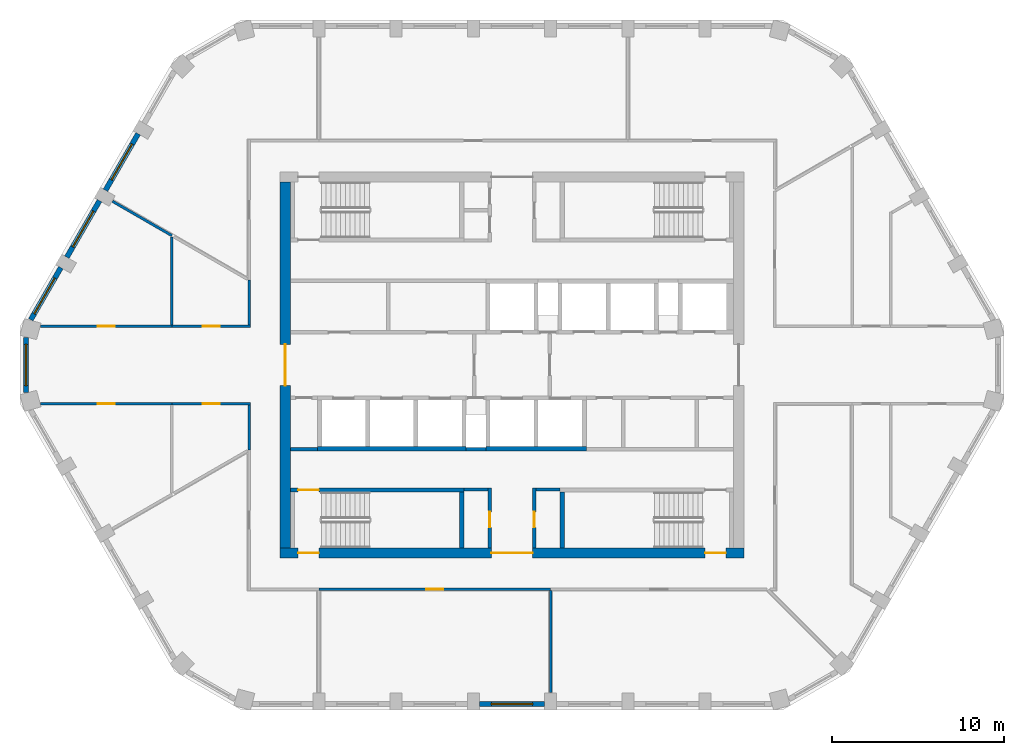
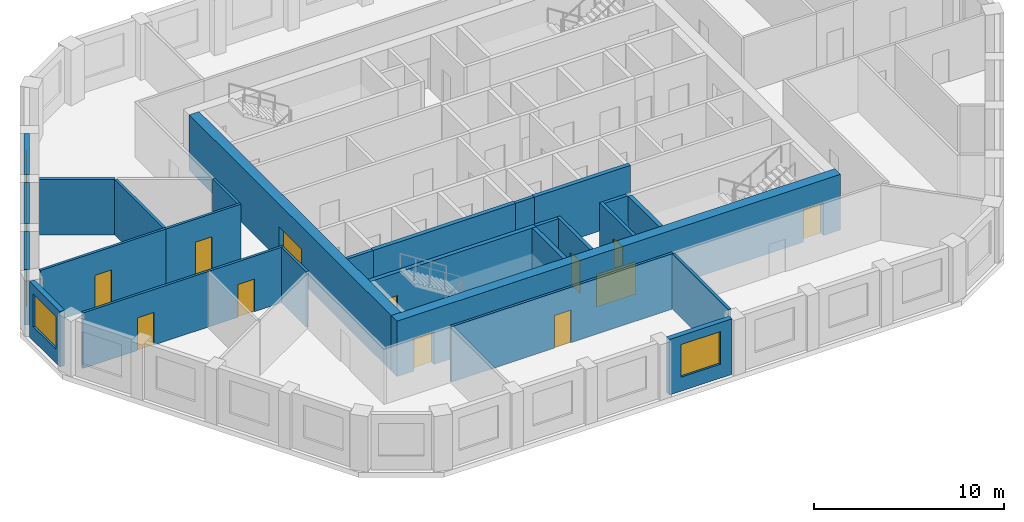
# One storey, part 2 of 11: 28 walls, 12 doors, 5 windows, 17 openings.
"""IFC4 building model written with IfcOpenShell, lengths in metres."""

from ifc_helpers import new_model, si_unit, direction, frame, frame_2d, origin, place, context, subcontext, project, spatial, polyline, rectangle, outline, extrude, material, layer, layer_set, type_object, element, fill, save


model = new_model("IFC4")

# Units and contexts
model_context = context("Model", 3, precision=1e-05, world=origin(), true_north=direction((0.0, 1.0)))
body_context = subcontext(model_context, "Body", "Model", "MODEL_VIEW")
ifc_project = project(units=[si_unit("LENGTHUNIT", "METRE"), si_unit("AREAUNIT", "SQUARE_METRE"), si_unit("VOLUMEUNIT", "CUBIC_METRE"), si_unit("PLANEANGLEUNIT", "RADIAN"), si_unit("MASSUNIT", "GRAM", prefix="KILO")], contexts=[model_context])

# Site, building, storey
site_placement = place(None, origin())
site = spatial("IfcSite", under=ifc_project, at=site_placement, CompositionType="ELEMENT")
building_placement = place(site_placement, origin())
building = spatial("IfcBuilding", under=site, at=building_placement, Name="Dhurran Vertical Campus", CompositionType="ELEMENT")
storey_placement = place(building_placement, frame((0.0, 0.0, 270.300048828125)))
storey = spatial("IfcBuildingStorey", under=building, at=storey_placement, Name="L67", CompositionType="ELEMENT", Elevation=270.300048828125)

# Wall, opening, window
ifc_material_1 = material(Name="Precast concrete C50/60", Category="concrete")
ifc_layer_1 = layer(ifc_material_1, 0.300048828125)
ifc_layer_set_1 = layer_set([ifc_layer_1], Name="Precast concrete C50/60")
wall_type_1 = type_object("IfcWallType", Name="Precast spandrel wall 300", PredefinedType="SOLIDWALL", material=ifc_layer_set_1)
wall_1_placement = place(storey_placement, frame((-1.8994140625, -19.738525390625, 0.0), z_axis=(0.0, 0.0, 1.0), x_axis=(1.0, 0.0, 0.0)))
wall_1 = element("IfcWall", 1, at=wall_1_placement, inside=storey, type_object=wall_type_1, Name="EW1 L67.03", PredefinedType="SOLIDWALL", context=body_context, shape_type="SweptSolid", body=[
    extrude(rectangle(XDim=3.798828125, YDim=0.300048828125, at=frame_2d((1.8994140625, 0.0))), origin(), (0.0, 0.0, 1.0), 3.574951171875),
])
opening_1_placement = place(wall_1_placement, frame((0.699462890625, 0.0, 0.89990234375)))
opening_1 = element("IfcOpeningElement", 2, at=opening_1_placement, cuts=wall_1, Name="Opening WT1", PredefinedType="OPENING", context=body_context, shape_type="SweptSolid", body=[
    extrude(rectangle(XDim=2.39990234375, YDim=2.10009765625, at=frame_2d((1.199951171875, 1.050048828125))), frame((0.0, 0.159912109375, 0.0), z_axis=(0.0, -1.0, 0.0), x_axis=(1.0, 0.0, 0.0)), (0.0, 0.0, 1.0), 0.320068359375),
])
ifc_material_2 = material(Name="Aluminium frame with solar-control glass", Category="aluminium")
window_type = type_object("IfcWindowType", Name="Punched window 2400 x 2100", PartitioningType="SINGLE_PANEL", PredefinedType="WINDOW", material=ifc_material_2)
window_1_placement = place(opening_1_placement, origin())
window_1 = element("IfcWindow", 3, at=window_1_placement, inside=storey, type_object=window_type, Name="WT1 L67.03", OverallHeight=2.10009765625, OverallWidth=2.39990234375, PartitioningType="SINGLE_PANEL", PredefinedType="WINDOW", context=body_context, shape_type="SweptSolid", body=[
    extrude(rectangle(XDim=2.39990234375, YDim=2.10009765625, at=frame_2d((1.199951171875, 1.050048828125))), frame((0.0, 0.030029296875, 0.0), z_axis=(0.0, -1.0, 0.0), x_axis=(1.0, 0.0, 0.0)), (0.0, 0.0, 1.0), 0.06005859375),
])
fill(opening_1, window_1)

wall_2_placement = place(storey_placement, frame((-21.769287109375, 13.462890625, 0.0), z_axis=(0.0, 0.0, 1.0), x_axis=(-0.499982058975, -0.866035761792, 0.0)))
wall_2 = element("IfcWall", 4, at=wall_2_placement, inside=storey, type_object=wall_type_1, Name="EW1 L67.27", PredefinedType="SOLIDWALL", context=body_context, shape_type="SweptSolid", body=[
    extrude(rectangle(XDim=3.799072265625, YDim=0.300048828125, at=frame_2d((1.8994140625, 0.0))), origin(), (0.0, 0.0, 1.0), 3.574951171875),
])
opening_2_placement = place(wall_2_placement, frame((0.699462890625, 0.0, 0.89990234375)))
opening_2 = element("IfcOpeningElement", 5, at=opening_2_placement, cuts=wall_2, Name="Opening WT1", PredefinedType="OPENING", context=body_context, shape_type="SweptSolid", body=[
    extrude(rectangle(XDim=2.39990234375, YDim=2.10009765625, at=frame_2d((1.199951171875, 1.050048828125))), frame((0.0, 0.159912109375, 0.0), z_axis=(0.0, -1.0, 0.0), x_axis=(1.0, 0.0, 0.0)), (0.0, 0.0, 1.0), 0.320068359375),
])
window_2_placement = place(opening_2_placement, origin())
window_2 = element("IfcWindow", 6, at=window_2_placement, inside=storey, type_object=window_type, Name="WT1 L67.27", OverallHeight=2.10009765625, OverallWidth=2.39990234375, PartitioningType="SINGLE_PANEL", PredefinedType="WINDOW", context=body_context, shape_type="SweptSolid", body=[
    extrude(rectangle(XDim=2.39990234375, YDim=2.10009765625, at=frame_2d((1.199951171875, 1.050048828125))), frame((0.0, 0.030029296875, 0.0), z_axis=(0.0, -1.0, 0.0), x_axis=(1.0, 0.0, 0.0)), (0.0, 0.0, 1.0), 0.06005859375),
])
fill(opening_2, window_2)

wall_3_placement = place(storey_placement, frame((-24.019287109375, 9.565673828125, 0.0), z_axis=(0.0, 0.0, 1.0), x_axis=(-0.499982058975, -0.866035761792, 0.0)))
wall_3 = element("IfcWall", 7, at=wall_3_placement, inside=storey, type_object=wall_type_1, Name="EW1 L67.28", PredefinedType="SOLIDWALL", context=body_context, shape_type="SweptSolid", body=[
    extrude(rectangle(XDim=3.799072265625, YDim=0.300048828125, at=frame_2d((1.8994140625, 0.0))), origin(), (0.0, 0.0, 1.0), 3.574951171875),
])
opening_3_placement = place(wall_3_placement, frame((0.699462890625, 0.0, 0.89990234375)))
opening_3 = element("IfcOpeningElement", 8, at=opening_3_placement, cuts=wall_3, Name="Opening WT1", PredefinedType="OPENING", context=body_context, shape_type="SweptSolid", body=[
    extrude(rectangle(XDim=2.39990234375, YDim=2.10009765625, at=frame_2d((1.199951171875, 1.050048828125))), frame((0.0, 0.159912109375, 0.0), z_axis=(0.0, -1.0, 0.0), x_axis=(1.0, 0.0, 0.0)), (0.0, 0.0, 1.0), 0.320068359375),
])
window_3_placement = place(opening_3_placement, origin())
window_3 = element("IfcWindow", 9, at=window_3_placement, inside=storey, type_object=window_type, Name="WT1 L67.28", OverallHeight=2.10009765625, OverallWidth=2.39990234375, PartitioningType="SINGLE_PANEL", PredefinedType="WINDOW", context=body_context, shape_type="SweptSolid", body=[
    extrude(rectangle(XDim=2.39990234375, YDim=2.10009765625, at=frame_2d((1.199951171875, 1.050048828125))), frame((0.0, 0.030029296875, 0.0), z_axis=(0.0, -1.0, 0.0), x_axis=(1.0, 0.0, 0.0)), (0.0, 0.0, 1.0), 0.06005859375),
])
fill(opening_3, window_3)

wall_4_placement = place(storey_placement, frame((-26.269287109375, 5.668701171875, 0.0), z_axis=(0.0, 0.0, 1.0), x_axis=(-0.499990325971, -0.866030989016, 0.0)))
wall_4 = element("IfcWall", 10, at=wall_4_placement, inside=storey, type_object=wall_type_1, Name="EW1 L67.29", PredefinedType="SOLIDWALL", context=body_context, shape_type="SweptSolid", body=[
    extrude(rectangle(XDim=3.49755859375, YDim=0.300048828125, at=frame_2d((1.748779296875, 0.0))), origin(), (0.0, 0.0, 1.0), 3.574951171875),
])
opening_4_placement = place(wall_4_placement, frame((0.699462890625, 0.0, 0.89990234375)))
opening_4 = element("IfcOpeningElement", 11, at=opening_4_placement, cuts=wall_4, Name="Opening WT1", PredefinedType="OPENING", context=body_context, shape_type="SweptSolid", body=[
    extrude(rectangle(XDim=2.39990234375, YDim=2.10009765625, at=frame_2d((1.199951171875, 1.050048828125))), frame((0.0, 0.159912109375, 0.0), z_axis=(0.0, -1.0, 0.0), x_axis=(1.0, 0.0, 0.0)), (0.0, 0.0, 1.0), 0.320068359375),
])
window_4_placement = place(opening_4_placement, origin())
window_4 = element("IfcWindow", 12, at=window_4_placement, inside=storey, type_object=window_type, Name="WT1 L67.29", OverallHeight=2.10009765625, OverallWidth=2.39990234375, PartitioningType="SINGLE_PANEL", PredefinedType="WINDOW", context=body_context, shape_type="SweptSolid", body=[
    extrude(rectangle(XDim=2.39990234375, YDim=2.10009765625, at=frame_2d((1.199951171875, 1.050048828125))), frame((0.0, 0.030029296875, 0.0), z_axis=(0.0, -1.0, 0.0), x_axis=(1.0, 0.0, 0.0)), (0.0, 0.0, 1.0), 0.06005859375),
])
fill(opening_4, window_4)

wall_5_placement = place(storey_placement, frame((-28.297119140625, 1.59814453125, 0.0), z_axis=(0.0, 0.0, 1.0), x_axis=(0.0, -1.0, 0.0)))
wall_5 = element("IfcWall", 13, at=wall_5_placement, inside=storey, type_object=wall_type_1, Name="EW1 L67.30", PredefinedType="SOLIDWALL", context=body_context, shape_type="SweptSolid", body=[
    extrude(rectangle(XDim=3.1962890625, YDim=0.300048828125, at=frame_2d((1.59814453125, 0.0))), origin(), (0.0, 0.0, 1.0), 3.574951171875),
])
opening_5_placement = place(wall_5_placement, frame((0.398193359375, 0.0, 0.89990234375)))
opening_5 = element("IfcOpeningElement", 14, at=opening_5_placement, cuts=wall_5, Name="Opening WT1", PredefinedType="OPENING", context=body_context, shape_type="SweptSolid", body=[
    extrude(rectangle(XDim=2.39990234375, YDim=2.10009765625, at=frame_2d((1.199951171875, 1.050048828125))), frame((0.0, 0.159912109375, 0.0), z_axis=(0.0, -1.0, 0.0), x_axis=(1.0, 0.0, 0.0)), (0.0, 0.0, 1.0), 0.320068359375),
])
window_5_placement = place(opening_5_placement, origin())
window_5 = element("IfcWindow", 15, at=window_5_placement, inside=storey, type_object=window_type, Name="WT1 L67.30", OverallHeight=2.10009765625, OverallWidth=2.39990234375, PartitioningType="SINGLE_PANEL", PredefinedType="WINDOW", context=body_context, shape_type="SweptSolid", body=[
    extrude(rectangle(XDim=2.39990234375, YDim=2.10009765625, at=frame_2d((1.199951171875, 1.050048828125))), frame((0.0, 0.030029296875, 0.0), z_axis=(0.0, -1.0, 0.0), x_axis=(1.0, 0.0, 0.0)), (0.0, 0.0, 1.0), 0.06005859375),
])
fill(opening_5, window_5)

# Wall, openings, doors
ifc_material_3 = material(Name="Concrete C50/60", Category="concrete")
ifc_layer_2 = layer(ifc_material_3, 0.60009765625)
ifc_layer_set_2 = layer_set([ifc_layer_2], Name="Concrete C50/60")
wall_type_2 = type_object("IfcWallType", Name="co-CORE-WALL-C2-600", PredefinedType="SHEAR", material=ifc_layer_set_2)
wall_6_placement = place(storey_placement, frame((-13.5, -10.949951171875, 0.0), z_axis=(0.0, 0.0, 1.0), x_axis=(1.0, 0.0, 0.0)))
wall_6 = element("IfcWall", 16, at=wall_6_placement, inside=storey, type_object=wall_type_2, Name="Core wall S L67", PredefinedType="SHEAR", context=body_context, shape_type="SweptSolid", body=[
    extrude(rectangle(XDim=27.0, YDim=0.60009765625, at=frame_2d((13.5, 0.0))), origin(), (0.0, 0.0, 1.0), 3.574951171875),
])
opening_6_placement = place(wall_6_placement, frame((12.300048828125, 0.0, 0.0)))
opening_6 = element("IfcOpeningElement", 17, at=opening_6_placement, cuts=wall_6, Name="Opening CV2", PredefinedType="OPENING", context=body_context, shape_type="SweptSolid", body=[
    extrude(rectangle(XDim=2.39990234375, YDim=2.10009765625, at=frame_2d((1.199951171875, 1.050048828125))), frame((0.0, 0.31005859375, 0.0), z_axis=(0.0, -1.0, 0.0), x_axis=(1.0, 0.0, 0.0)), (0.0, 0.0, 1.0), 0.6201171875),
])
opening_7_placement = place(wall_6_placement, frame((1.050048828125, 0.0, 0.0)))
opening_7 = element("IfcOpeningElement", 18, at=opening_7_placement, cuts=wall_6, Name="Opening XD3", PredefinedType="OPENING", context=body_context, shape_type="SweptSolid", body=[
    extrude(rectangle(XDim=1.199951171875, YDim=2.10009765625, at=frame_2d((0.60009765625, 1.050048828125))), frame((0.0, 0.31005859375, 0.0), z_axis=(0.0, -1.0, 0.0), x_axis=(1.0, 0.0, 0.0)), (0.0, 0.0, 1.0), 0.6201171875),
])
opening_8_placement = place(wall_6_placement, frame((24.75, 0.0, 0.0)))
opening_8 = element("IfcOpeningElement", 19, at=opening_8_placement, cuts=wall_6, Name="Opening XD4", PredefinedType="OPENING", context=body_context, shape_type="SweptSolid", body=[
    extrude(rectangle(XDim=1.199951171875, YDim=2.10009765625, at=frame_2d((0.60009765625, 1.050048828125))), frame((0.0, 0.31005859375, 0.0), z_axis=(0.0, -1.0, 0.0), x_axis=(1.0, 0.0, 0.0)), (0.0, 0.0, 1.0), 0.6201171875),
])
ifc_material_4 = material(Name="Fire-rated glazed door set")
door_type_1 = type_object("IfcDoorType", Name="co-D-LOBBY 2400x2100", OperationType="DOUBLE_DOOR_DOUBLE_SWING", PredefinedType="DOOR", material=ifc_material_4)
door_1_placement = place(opening_6_placement, origin())
door_1 = element("IfcDoor", 20, at=door_1_placement, inside=storey, type_object=door_type_1, Name="Core vestibule door S L67", OperationType="DOUBLE_DOOR_DOUBLE_SWING", OverallHeight=2.10009765625, OverallWidth=2.39990234375, PredefinedType="DOOR", context=body_context, shape_type="SweptSolid", body=[
    extrude(rectangle(XDim=2.39990234375, YDim=2.10009765625, at=frame_2d((1.199951171875, 1.050048828125))), frame((0.0, 0.02490234375, 0.0), z_axis=(0.0, -1.0, 0.0), x_axis=(1.0, 0.0, 0.0)), (0.0, 0.0, 1.0), 0.050048828125),
])
fill(opening_6, door_1)
ifc_material_5 = material(Name="Fire-rated steel door set", Category="steel")
door_type_2 = type_object("IfcDoorType", Name="co-D-STAIR-EXIT 1200x2100", OperationType="SINGLE_SWING_RIGHT", PredefinedType="DOOR", material=ifc_material_5)
door_2_placement = place(opening_7_placement, origin())
door_2 = element("IfcDoor", 21, at=door_2_placement, inside=storey, type_object=door_type_2, Name="Stair ST3 exit door L67", OperationType="SINGLE_SWING_RIGHT", OverallHeight=2.10009765625, OverallWidth=1.199951171875, PredefinedType="DOOR", context=body_context, shape_type="SweptSolid", body=[
    extrude(rectangle(XDim=1.199951171875, YDim=2.10009765625, at=frame_2d((0.60009765625, 1.050048828125))), frame((0.0, 0.02490234375, 0.0), z_axis=(0.0, -1.0, 0.0), x_axis=(1.0, 0.0, 0.0)), (0.0, 0.0, 1.0), 0.050048828125),
])
fill(opening_7, door_2)
door_3_placement = place(opening_8_placement, origin())
door_3 = element("IfcDoor", 22, at=door_3_placement, inside=storey, type_object=door_type_2, Name="Stair ST4 exit door L67", OperationType="SINGLE_SWING_RIGHT", OverallHeight=2.10009765625, OverallWidth=1.199951171875, PredefinedType="DOOR", context=body_context, shape_type="SweptSolid", body=[
    extrude(rectangle(XDim=1.199951171875, YDim=2.10009765625, at=frame_2d((0.60009765625, 1.050048828125))), frame((0.0, 0.02490234375, 0.0), z_axis=(0.0, -1.0, 0.0), x_axis=(1.0, 0.0, 0.0)), (0.0, 0.0, 1.0), 0.050048828125),
])
fill(opening_8, door_3)

# Wall, opening, door
wall_7_placement = place(storey_placement, frame((-13.199951171875, -10.64990234375, 0.0), z_axis=(0.0, 0.0, 1.0), x_axis=(0.0, 1.0, 0.0)))
wall_7 = element("IfcWall", 23, at=wall_7_placement, inside=storey, type_object=wall_type_2, Name="Core wall W L67", PredefinedType="SHEAR", context=body_context, shape_type="SweptSolid", body=[
    extrude(rectangle(XDim=21.2998046875, YDim=0.60009765625, at=frame_2d((10.64990234375, 0.0))), origin(), (0.0, 0.0, 1.0), 3.574951171875),
])
opening_9_placement = place(wall_7_placement, frame((9.449951171875, 0.0, 0.0)))
opening_9 = element("IfcOpeningElement", 24, at=opening_9_placement, cuts=wall_7, Name="Opening CL1", PredefinedType="OPENING", context=body_context, shape_type="SweptSolid", body=[
    extrude(rectangle(XDim=2.39990234375, YDim=2.10009765625, at=frame_2d((1.199951171875, 1.050048828125))), frame((0.0, 0.31005859375, 0.0), z_axis=(0.0, -1.0, 0.0), x_axis=(1.0, 0.0, 0.0)), (0.0, 0.0, 1.0), 0.6201171875),
])
door_4_placement = place(opening_9_placement, origin())
door_4 = element("IfcDoor", 25, at=door_4_placement, inside=storey, type_object=door_type_1, Name="Lift lobby door W L67", OperationType="DOUBLE_DOOR_DOUBLE_SWING", OverallHeight=2.10009765625, OverallWidth=2.39990234375, PredefinedType="DOOR", context=body_context, shape_type="SweptSolid", body=[
    extrude(rectangle(XDim=2.39990234375, YDim=2.10009765625, at=frame_2d((1.199951171875, 1.050048828125))), frame((0.0, 0.02490234375, 0.0), z_axis=(0.0, -1.0, 0.0), x_axis=(1.0, 0.0, 0.0)), (0.0, 0.0, 1.0), 0.050048828125),
])
fill(opening_9, door_4)

# Walls
ifc_material_6 = material(Name="Fire-rated masonry blockwork", Category="masonry")
ifc_layer_3 = layer(ifc_material_6, 0.199951171875)
ifc_layer_set_3 = layer_set([ifc_layer_3], Name="Fire-rated masonry blockwork")
wall_type_3 = type_object("IfcWallType", Name="co-FIRE-PARTITION-200", PredefinedType="PARTITIONING", material=ifc_layer_set_3)
for number, where, z_axis, x_axis, name in (
    (26, (-2.800048828125, -7.25, 0.0), (0.0, 0.0, 1.0), (1.0, 0.0, 0.0), "Core partition sl-SW-S L67"),
    (27, (1.39990234375, -7.25, 0.0), (0.0, 0.0, 1.0), (1.0, 0.0, 0.0), "Core partition sl-SE-S L67"),
):
    element("IfcWall", number, at=place(storey_placement, frame(where, z_axis=z_axis, x_axis=x_axis)), inside=storey, type_object=wall_type_3, Name=name, PredefinedType="PARTITIONING", context=body_context, shape_type="SweptSolid", body=[
        extrude(rectangle(XDim=1.400146484375, YDim=0.199951171875, at=frame_2d((0.7001953125, 0.0))), origin(), (0.0, 0.0, 1.0), 3.574951171875),
    ])

# Wall, opening, door
wall_8_placement = place(storey_placement, frame((-1.300048828125, -10.64990234375, 0.0), z_axis=(0.0, 0.0, 1.0), x_axis=(0.0, 1.0, 0.0)))
wall_8 = element("IfcWall", 28, at=wall_8_placement, inside=storey, type_object=wall_type_3, Name="Core partition vest-SW L67", PredefinedType="PARTITIONING", context=body_context, shape_type="SweptSolid", body=[
    extrude(rectangle(XDim=3.5, YDim=0.199951171875, at=frame_2d((1.75, 0.0))), origin(), (0.0, 0.0, 1.0), 3.574951171875),
])
opening_10_placement = place(wall_8_placement, frame((1.199951171875, 0.0, 0.0)))
opening_10 = element("IfcOpeningElement", 29, at=opening_10_placement, cuts=wall_8, Name="Opening T20-C1", PredefinedType="OPENING", context=body_context, shape_type="SweptSolid", body=[
    extrude(rectangle(XDim=0.89990234375, YDim=2.10009765625, at=frame_2d((0.449951171875, 1.050048828125))), frame((0.0, 0.10986328125, 0.0), z_axis=(0.0, -1.0, 0.0), x_axis=(1.0, 0.0, 0.0)), (0.0, 0.0, 1.0), 0.219970703125),
])
ifc_material_7 = material(Name="Fire-rated timber door set", Category="wood")
door_type_3 = type_object("IfcDoorType", Name="co-D-ROOM 900x2100", OperationType="SINGLE_SWING_LEFT", PredefinedType="DOOR", material=ifc_material_7)
door_5_placement = place(opening_10_placement, origin())
door_5 = element("IfcDoor", 30, at=door_5_placement, inside=storey, type_object=door_type_3, Name="Server room door L67", OperationType="SINGLE_SWING_LEFT", OverallHeight=2.10009765625, OverallWidth=0.89990234375, PredefinedType="DOOR", context=body_context, shape_type="SweptSolid", body=[
    extrude(rectangle(XDim=0.89990234375, YDim=2.10009765625, at=frame_2d((0.449951171875, 1.050048828125))), frame((0.0, 0.02490234375, 0.0), z_axis=(0.0, -1.0, 0.0), x_axis=(1.0, 0.0, 0.0)), (0.0, 0.0, 1.0), 0.050048828125),
])
fill(opening_10, door_5)

wall_9_placement = place(storey_placement, frame((1.300048828125, -10.64990234375, 0.0), z_axis=(0.0, 0.0, 1.0), x_axis=(0.0, 1.0, 0.0)))
wall_9 = element("IfcWall", 31, at=wall_9_placement, inside=storey, type_object=wall_type_3, Name="Core partition vest-SE L67", PredefinedType="PARTITIONING", context=body_context, shape_type="SweptSolid", body=[
    extrude(rectangle(XDim=3.5, YDim=0.199951171875, at=frame_2d((1.75, 0.0))), origin(), (0.0, 0.0, 1.0), 3.574951171875),
])
opening_11_placement = place(wall_9_placement, frame((1.199951171875, 0.0, 0.0)))
opening_11 = element("IfcOpeningElement", 32, at=opening_11_placement, cuts=wall_9, Name="Opening T20-C2", PredefinedType="OPENING", context=body_context, shape_type="SweptSolid", body=[
    extrude(rectangle(XDim=0.89990234375, YDim=2.10009765625, at=frame_2d((0.449951171875, 1.050048828125))), frame((0.0, 0.10986328125, 0.0), z_axis=(0.0, -1.0, 0.0), x_axis=(1.0, 0.0, 0.0)), (0.0, 0.0, 1.0), 0.219970703125),
])
door_6_placement = place(opening_11_placement, origin())
door_6 = element("IfcDoor", 33, at=door_6_placement, inside=storey, type_object=door_type_3, Name="Housekeeping store door L67", OperationType="SINGLE_SWING_LEFT", OverallHeight=2.10009765625, OverallWidth=0.89990234375, PredefinedType="DOOR", context=body_context, shape_type="SweptSolid", body=[
    extrude(rectangle(XDim=0.89990234375, YDim=2.10009765625, at=frame_2d((0.449951171875, 1.050048828125))), frame((0.0, 0.02490234375, 0.0), z_axis=(0.0, -1.0, 0.0), x_axis=(1.0, 0.0, 0.0)), (0.0, 0.0, 1.0), 0.050048828125),
])
fill(opening_11, door_6)

# Walls
wall_10_placement = place(storey_placement, frame((-12.89990234375, -4.89990234375, 0.0), z_axis=(0.0, 0.0, 1.0), x_axis=(1.0, 0.0, 0.0)))
element("IfcWall", 34, at=wall_10_placement, inside=storey, type_object=wall_type_3, Name="Core partition fr-S0-b L67", PredefinedType="PARTITIONING", context=body_context, shape_type="SweptSolid", body=[
    extrude(rectangle(XDim=1.574951171875, YDim=0.199951171875, at=frame_2d((0.78759765625, 0.0))), origin(), (0.0, 0.0, 1.0), 3.574951171875),
])
wall_11_placement = place(storey_placement, frame((-2.675048828125, -4.89990234375, 0.0), z_axis=(0.0, 0.0, 1.0), x_axis=(1.0, 0.0, 0.0)))
element("IfcWall", 35, at=wall_11_placement, inside=storey, type_object=wall_type_3, Name="Core partition fr-S1-b L67", PredefinedType="PARTITIONING", context=body_context, shape_type="SweptSolid", body=[
    extrude(rectangle(XDim=1.150146484375, YDim=0.199951171875, at=frame_2d((0.5751953125, 0.0))), origin(), (0.0, 0.0, 1.0), 3.574951171875),
])
ifc_material_8 = material(Name="Concrete C50/60", Category="concrete")
ifc_layer_4 = layer(ifc_material_8, 0.25)
ifc_layer_set_4 = layer_set([ifc_layer_4], Name="Concrete C50/60")
wall_type_4 = type_object("IfcWallType", Name="co-SHAFT-MASS-250", PredefinedType="SHEAR", material=ifc_layer_set_4)
wall_12_placement = place(storey_placement, origin())
element("IfcWall", 36, at=wall_12_placement, inside=storey, type_object=wall_type_4, Name="Lift shaft wall S L67 1", PredefinedType="SHEAR", context=body_context, shape_type="SweptSolid", body=[
    extrude(outline(polyline([(-11.324951171875, -5.0), (-2.675048828125, -5.0), (-2.675048828125, -4.75), (-11.324951171875, -4.75), (-11.324951171875, -5.0)])), origin(), (0.0, 0.0, 1.0), 3.574951171875),
])
wall_13_placement = place(storey_placement, origin())
element("IfcWall", 37, at=wall_13_placement, inside=storey, type_object=wall_type_4, Name="Lift shaft wall S L67 2", PredefinedType="SHEAR", context=body_context, shape_type="SweptSolid", body=[
    extrude(outline(polyline([(-1.52490234375, -5.0), (4.324951171875, -5.0), (4.324951171875, -4.75), (-1.52490234375, -4.75), (-1.52490234375, -5.0)])), origin(), (0.0, 0.0, 1.0), 3.574951171875),
])

# Wall, opening, door
ifc_material_9 = material(Name="Concrete C40/50", Category="concrete")
ifc_layer_5 = layer(ifc_material_9, 0.25)
ifc_layer_set_5 = layer_set([ifc_layer_5], Name="Concrete C40/50")
wall_type_5 = type_object("IfcWallType", Name="co-STAIR-WALL-250", PredefinedType="SHEAR", material=ifc_layer_set_5)
wall_14_placement = place(storey_placement, frame((-12.89990234375, -7.27490234375, 0.0), z_axis=(0.0, 0.0, 1.0), x_axis=(1.0, 0.0, 0.0)))
wall_14 = element("IfcWall", 38, at=wall_14_placement, inside=storey, type_object=wall_type_5, Name="Stair ST3 enclosure wall L67", PredefinedType="SHEAR", context=body_context, shape_type="SweptSolid", body=[
    extrude(rectangle(XDim=10.099853515625, YDim=0.25, at=frame_2d((5.0498046875, 0.0))), origin(), (0.0, 0.0, 1.0), 3.574951171875),
])
opening_12_placement = place(wall_14_placement, frame((0.449951171875, 0.0, 0.0)))
opening_12 = element("IfcOpeningElement", 39, at=opening_12_placement, cuts=wall_14, Name="Opening SD3", PredefinedType="OPENING", context=body_context, shape_type="SweptSolid", body=[
    extrude(rectangle(XDim=1.199951171875, YDim=2.10009765625, at=frame_2d((0.60009765625, 1.050048828125))), frame((0.0, 0.135009765625, 0.0), z_axis=(0.0, -1.0, 0.0), x_axis=(1.0, 0.0, 0.0)), (0.0, 0.0, 1.0), 0.27001953125),
])
ifc_material_10 = material(Name="Fire-rated steel door set", Category="steel")
door_type_4 = type_object("IfcDoorType", Name="co-D-STAIR 1200x2100", OperationType="SINGLE_SWING_LEFT", PredefinedType="DOOR", material=ifc_material_10)
door_7_placement = place(opening_12_placement, origin())
door_7 = element("IfcDoor", 40, at=door_7_placement, inside=storey, type_object=door_type_4, Name="Stair ST3 door L67", OperationType="SINGLE_SWING_LEFT", OverallHeight=2.10009765625, OverallWidth=1.199951171875, PredefinedType="DOOR", context=body_context, shape_type="SweptSolid", body=[
    extrude(rectangle(XDim=1.199951171875, YDim=2.10009765625, at=frame_2d((0.60009765625, 1.050048828125))), frame((0.0, 0.02490234375, 0.0), z_axis=(0.0, -1.0, 0.0), x_axis=(1.0, 0.0, 0.0)), (0.0, 0.0, 1.0), 0.050048828125),
])
fill(opening_12, door_7)

# Walls
for number, where, z_axis, x_axis, name in (
    (41, (-2.925048828125, -10.64990234375, 0.0), (0.0, 0.0, 1.0), (0.0, 1.0, 0.0), "Stair ST3 enclosure wall L67"),
    (42, (2.925048828125, -10.64990234375, 0.0), (0.0, 0.0, 1.0), (0.0, 1.0, 0.0), "Stair ST4 enclosure wall L67"),
):
    element("IfcWall", number, at=place(storey_placement, frame(where, z_axis=z_axis, x_axis=x_axis)), inside=storey, type_object=wall_type_5, Name=name, PredefinedType="SHEAR", context=body_context, shape_type="SweptSolid", body=[
        extrude(rectangle(XDim=3.25, YDim=0.25, at=frame_2d((1.625, 0.0))), origin(), (0.0, 0.0, 1.0), 3.574951171875),
    ])

# Wall, opening, door
ifc_material_11 = material(Name="Gypsum board corridor wall on steel studs", Category="steel")
ifc_layer_6 = layer(ifc_material_11, 0.14990234375)
ifc_layer_set_6 = layer_set([ifc_layer_6], Name="Gypsum board corridor wall on steel studs")
wall_type_6 = type_object("IfcWallType", Name="fl-CW-150 corridor wall", PredefinedType="PARTITIONING", material=ifc_layer_set_6)
wall_15_placement = place(storey_placement, frame((-19.800048828125, -2.25, 0.0), z_axis=(0.0, 0.0, 1.0), x_axis=(-1.0, 0.0, 0.0)))
wall_15 = element("IfcWall", 43, at=wall_15_placement, inside=storey, type_object=wall_type_6, Name="Partition 67-01", PredefinedType="PARTITIONING", context=body_context, shape_type="SweptSolid", body=[
    extrude(rectangle(XDim=7.65234375, YDim=0.14990234375, at=frame_2d((3.826171875, 0.0))), origin(), (0.0, 0.0, 1.0), 3.574951171875),
])
opening_13_placement = place(wall_15_placement, frame((3.326171875, 0.0, 0.0)))
opening_13 = element("IfcOpeningElement", 44, at=opening_13_placement, cuts=wall_15, Name="Opening T20.01", PredefinedType="OPENING", context=body_context, shape_type="SweptSolid", body=[
    extrude(rectangle(XDim=1.0, YDim=2.10009765625, at=frame_2d((0.5, 1.050048828125))), frame((0.0, 0.0849609375, 0.0), z_axis=(0.0, -1.0, 0.0), x_axis=(1.0, 0.0, 0.0)), (0.0, 0.0, 1.0), 0.169921875),
])
ifc_material_12 = material(Name="Solid-core timber door set, fire-rated", Category="wood")
door_type_5 = type_object("IfcDoorType", Name="fl-D-1000x2100", OperationType="SINGLE_SWING_LEFT", PredefinedType="DOOR", material=ifc_material_12)
door_8_placement = place(opening_13_placement, origin())
door_8 = element("IfcDoor", 45, at=door_8_placement, inside=storey, type_object=door_type_5, Name="Door 67.01", OperationType="SINGLE_SWING_RIGHT", OverallHeight=2.10009765625, OverallWidth=1.0, PredefinedType="DOOR", context=body_context, shape_type="SweptSolid", body=[
    extrude(rectangle(XDim=1.0, YDim=2.10009765625, at=frame_2d((0.5, 1.050048828125))), frame((0.0, 0.02490234375, 0.0), z_axis=(0.0, -1.0, 0.0), x_axis=(1.0, 0.0, 0.0)), (0.0, 0.0, 1.0), 0.050048828125),
])
fill(opening_13, door_8)

wall_16_placement = place(storey_placement, frame((-27.452392578125, 2.25, 0.0), z_axis=(0.0, 0.0, 1.0), x_axis=(1.0, 0.0, 0.0)))
wall_16 = element("IfcWall", 46, at=wall_16_placement, inside=storey, type_object=wall_type_6, Name="Partition 67-02", PredefinedType="PARTITIONING", context=body_context, shape_type="SweptSolid", body=[
    extrude(rectangle(XDim=7.65234375, YDim=0.14990234375, at=frame_2d((3.826171875, 0.0))), origin(), (0.0, 0.0, 1.0), 3.574951171875),
])
opening_14_placement = place(wall_16_placement, frame((3.326171875, 0.0, 0.0)))
opening_14 = element("IfcOpeningElement", 47, at=opening_14_placement, cuts=wall_16, Name="Opening T20.02", PredefinedType="OPENING", context=body_context, shape_type="SweptSolid", body=[
    extrude(rectangle(XDim=1.0, YDim=2.10009765625, at=frame_2d((0.5, 1.050048828125))), frame((0.0, 0.0849609375, 0.0), z_axis=(0.0, -1.0, 0.0), x_axis=(1.0, 0.0, 0.0)), (0.0, 0.0, 1.0), 0.169921875),
])
door_9_placement = place(opening_14_placement, origin())
door_9 = element("IfcDoor", 48, at=door_9_placement, inside=storey, type_object=door_type_5, Name="Door 67.02", OperationType="SINGLE_SWING_LEFT", OverallHeight=2.10009765625, OverallWidth=1.0, PredefinedType="DOOR", context=body_context, shape_type="SweptSolid", body=[
    extrude(rectangle(XDim=1.0, YDim=2.10009765625, at=frame_2d((0.5, 1.050048828125))), frame((0.0, 0.02490234375, 0.0), z_axis=(0.0, -1.0, 0.0), x_axis=(1.0, 0.0, 0.0)), (0.0, 0.0, 1.0), 0.050048828125),
])
fill(opening_14, door_9)

wall_17_placement = place(storey_placement, frame((-15.22509765625, -2.25, 0.0), z_axis=(0.0, 0.0, 1.0), x_axis=(-1.0, 0.0, 0.0)))
wall_17 = element("IfcWall", 49, at=wall_17_placement, inside=storey, type_object=wall_type_6, Name="Partition 67-07", PredefinedType="PARTITIONING", context=body_context, shape_type="SweptSolid", body=[
    extrude(rectangle(XDim=4.574951171875, YDim=0.14990234375, at=frame_2d((2.28759765625, 0.0))), origin(), (0.0, 0.0, 1.0), 3.574951171875),
])
opening_15_placement = place(wall_17_placement, frame((1.78759765625, 0.0, 0.0)))
opening_15 = element("IfcOpeningElement", 50, at=opening_15_placement, cuts=wall_17, Name="Opening T20.03", PredefinedType="OPENING", context=body_context, shape_type="SweptSolid", body=[
    extrude(rectangle(XDim=1.0, YDim=2.10009765625, at=frame_2d((0.5, 1.050048828125))), frame((0.0, 0.0849609375, 0.0), z_axis=(0.0, -1.0, 0.0), x_axis=(1.0, 0.0, 0.0)), (0.0, 0.0, 1.0), 0.169921875),
])
door_10_placement = place(opening_15_placement, origin())
door_10 = element("IfcDoor", 51, at=door_10_placement, inside=storey, type_object=door_type_5, Name="Door 67.03", OperationType="SINGLE_SWING_RIGHT", OverallHeight=2.10009765625, OverallWidth=1.0, PredefinedType="DOOR", context=body_context, shape_type="SweptSolid", body=[
    extrude(rectangle(XDim=1.0, YDim=2.10009765625, at=frame_2d((0.5, 1.050048828125))), frame((0.0, 0.02490234375, 0.0), z_axis=(0.0, -1.0, 0.0), x_axis=(1.0, 0.0, 0.0)), (0.0, 0.0, 1.0), 0.050048828125),
])
fill(opening_15, door_10)

wall_18_placement = place(storey_placement, frame((-19.800048828125, 2.25, 0.0), z_axis=(0.0, 0.0, 1.0), x_axis=(1.0, 0.0, 0.0)))
wall_18 = element("IfcWall", 52, at=wall_18_placement, inside=storey, type_object=wall_type_6, Name="Partition 67-09", PredefinedType="PARTITIONING", context=body_context, shape_type="SweptSolid", body=[
    extrude(rectangle(XDim=4.574951171875, YDim=0.14990234375, at=frame_2d((2.28759765625, 0.0))), origin(), (0.0, 0.0, 1.0), 3.574951171875),
])
opening_16_placement = place(wall_18_placement, frame((1.78759765625, 0.0, 0.0)))
opening_16 = element("IfcOpeningElement", 53, at=opening_16_placement, cuts=wall_18, Name="Opening T20.04", PredefinedType="OPENING", context=body_context, shape_type="SweptSolid", body=[
    extrude(rectangle(XDim=1.0, YDim=2.10009765625, at=frame_2d((0.5, 1.050048828125))), frame((0.0, 0.0849609375, 0.0), z_axis=(0.0, -1.0, 0.0), x_axis=(1.0, 0.0, 0.0)), (0.0, 0.0, 1.0), 0.169921875),
])
door_11_placement = place(opening_16_placement, origin())
door_11 = element("IfcDoor", 54, at=door_11_placement, inside=storey, type_object=door_type_5, Name="Door 67.04", OperationType="SINGLE_SWING_LEFT", OverallHeight=2.10009765625, OverallWidth=1.0, PredefinedType="DOOR", context=body_context, shape_type="SweptSolid", body=[
    extrude(rectangle(XDim=1.0, YDim=2.10009765625, at=frame_2d((0.5, 1.050048828125))), frame((0.0, 0.02490234375, 0.0), z_axis=(0.0, -1.0, 0.0), x_axis=(1.0, 0.0, 0.0)), (0.0, 0.0, 1.0), 0.050048828125),
])
fill(opening_16, door_11)

# Walls
for number, where, z_axis, x_axis, name in (
    (55, (-15.300048828125, -2.324951171875, 0.0), (0.0, 0.0, 1.0), (0.0, -1.0, 0.0), "Partition 67-13"),
    (56, (-15.300048828125, 4.93603515625, 0.0), (0.0, 0.0, 1.0), (0.0, -1.0, 0.0), "Partition 67-14"),
):
    element("IfcWall", number, at=place(storey_placement, frame(where, z_axis=z_axis, x_axis=x_axis)), inside=storey, type_object=wall_type_6, Name=name, PredefinedType="PARTITIONING", context=body_context, shape_type="SweptSolid", body=[
        extrude(rectangle(XDim=2.611083984375, YDim=0.14990234375, at=frame_2d((1.3056640625, 0.0))), origin(), (0.0, 0.0, 1.0), 3.574951171875),
    ])

# Wall, opening, door
wall_19_placement = place(storey_placement, frame((-11.25, -13.050048828125, 0.0), z_axis=(0.0, 0.0, 1.0), x_axis=(1.0, 0.0, 0.0)))
wall_19 = element("IfcWall", 57, at=wall_19_placement, inside=storey, type_object=wall_type_6, Name="Partition 67-18", PredefinedType="PARTITIONING", context=body_context, shape_type="SweptSolid", body=[
    extrude(rectangle(XDim=13.5, YDim=0.14990234375, at=frame_2d((6.75, 0.0))), origin(), (0.0, 0.0, 1.0), 3.574951171875),
])
opening_17_placement = place(wall_19_placement, frame((6.25, 0.0, 0.0)))
opening_17 = element("IfcOpeningElement", 58, at=opening_17_placement, cuts=wall_19, Name="Opening T20.07", PredefinedType="OPENING", context=body_context, shape_type="SweptSolid", body=[
    extrude(rectangle(XDim=1.0, YDim=2.10009765625, at=frame_2d((0.5, 1.050048828125))), frame((0.0, 0.0849609375, 0.0), z_axis=(0.0, -1.0, 0.0), x_axis=(1.0, 0.0, 0.0)), (0.0, 0.0, 1.0), 0.169921875),
])
door_12_placement = place(opening_17_placement, origin())
door_12 = element("IfcDoor", 59, at=door_12_placement, inside=storey, type_object=door_type_5, Name="Door 67.07", OperationType="SINGLE_SWING_LEFT", OverallHeight=2.10009765625, OverallWidth=1.0, PredefinedType="DOOR", context=body_context, shape_type="SweptSolid", body=[
    extrude(rectangle(XDim=1.0, YDim=2.10009765625, at=frame_2d((0.5, 1.050048828125))), frame((0.0, 0.02490234375, 0.0), z_axis=(0.0, -1.0, 0.0), x_axis=(1.0, 0.0, 0.0)), (0.0, 0.0, 1.0), 0.050048828125),
])
fill(opening_17, door_12)

# Walls
ifc_material_13 = material(Name="Gypsum board partition on steel studs", Category="steel")
ifc_layer_7 = layer(ifc_material_13, 0.14990234375)
ifc_layer_set_7 = layer_set([ifc_layer_7], Name="Gypsum board partition on steel studs")
wall_type_7 = type_object("IfcWallType", Name="fl-PW-150 fixed partition", PredefinedType="PARTITIONING", material=ifc_layer_set_7)
wall_20_placement = place(storey_placement, frame((-23.263916015625, 9.5341796875, 0.0), z_axis=(0.0, 0.0, 1.0), x_axis=(0.865984319305, -0.500071153655, 0.0)))
element("IfcWall", 60, at=wall_20_placement, inside=storey, type_object=wall_type_7, Name="Partition 67-04", PredefinedType="PARTITIONING", context=body_context, shape_type="SweptSolid", body=[
    extrude(rectangle(XDim=4.0, YDim=0.14990234375, at=frame_2d((2.0, 0.0))), origin(), (0.0, 0.0, 1.0), 3.574951171875),
])
wall_21_placement = place(storey_placement, frame((-19.800048828125, 7.458984375, 0.0), z_axis=(0.0, 0.0, 1.0), x_axis=(0.0, -1.0, 0.0)))
element("IfcWall", 61, at=wall_21_placement, inside=storey, type_object=wall_type_7, Name="Partition 67-08", PredefinedType="PARTITIONING", context=body_context, shape_type="SweptSolid", body=[
    extrude(rectangle(XDim=5.134033203125, YDim=0.14990234375, at=frame_2d((2.56689453125, 0.0))), origin(), (0.0, 0.0, 1.0), 3.574951171875),
])
wall_22_placement = place(storey_placement, frame((2.25, -13.125, 0.0), z_axis=(0.0, 0.0, 1.0), x_axis=(0.0, -1.0, 0.0)))
element("IfcWall", 62, at=wall_22_placement, inside=storey, type_object=wall_type_7, Name="Partition 67-21", PredefinedType="PARTITIONING", context=body_context, shape_type="SweptSolid", body=[
    extrude(rectangle(XDim=5.943603515625, YDim=0.14990234375, at=frame_2d((2.9716796875, 0.0))), origin(), (0.0, 0.0, 1.0), 3.574951171875),
])

save(model, "model.ifc")
